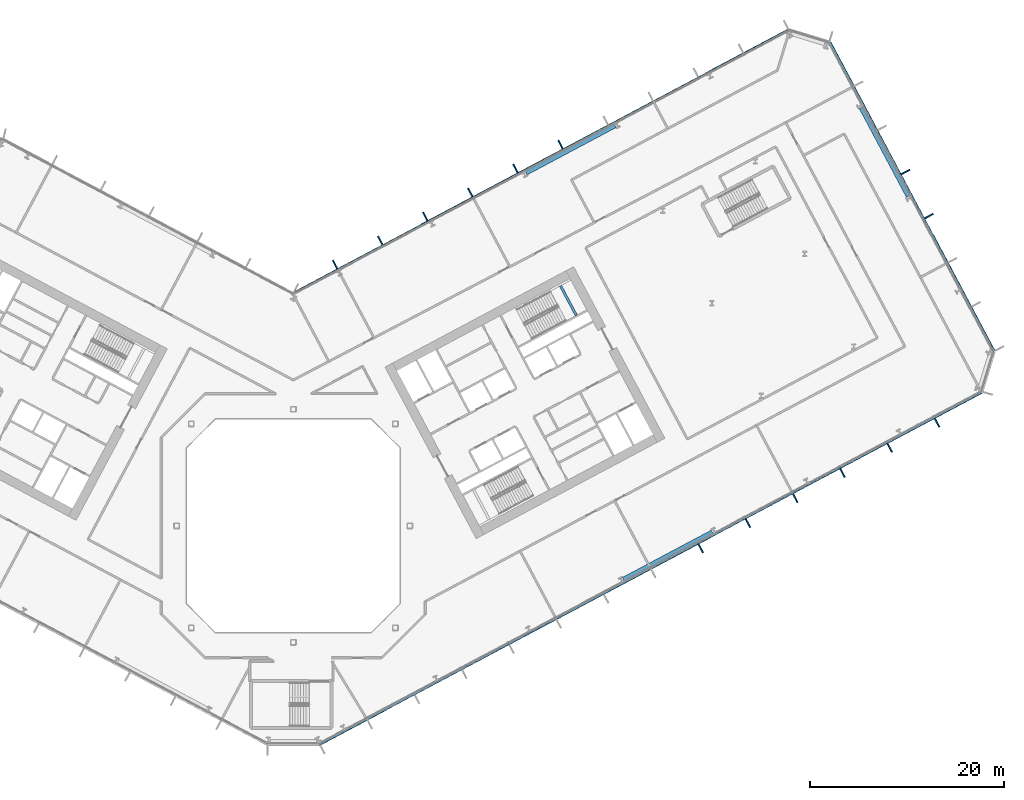
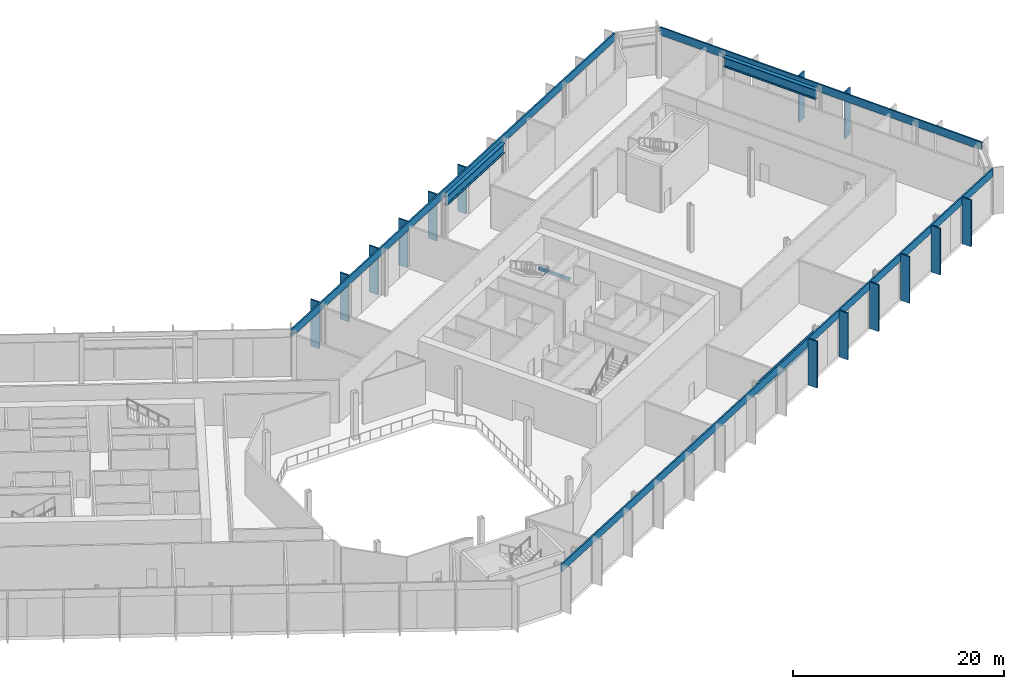
# One storey, part 7 of 31: 17 members, 4 beams, 3 elements without a shape of their own.
"""IFC4 building model written with IfcOpenShell, lengths in metres."""

from ifc_helpers import new_model, si_unit, direction, frame, origin, origin_2d, place, context, subcontext, project, spatial, rectangle, i_section, extrude, material, layer, layer_set, material_profile, profile_set, type_object, element, aggregate, save


model = new_model("IFC4")

# Units and contexts
model_context = context("Model", 3, precision=1e-05, world=origin(), true_north=direction((0.0, 1.0)))
body_context = subcontext(model_context, "Body", "Model", "MODEL_VIEW")
ifc_project = project(units=[si_unit("LENGTHUNIT", "METRE"), si_unit("AREAUNIT", "SQUARE_METRE"), si_unit("VOLUMEUNIT", "CUBIC_METRE"), si_unit("PLANEANGLEUNIT", "RADIAN"), si_unit("MASSUNIT", "GRAM", prefix="KILO")], contexts=[model_context])

# Site, building, storey
site_placement = place(None, origin())
site = spatial("IfcSite", under=ifc_project, at=site_placement, CompositionType="ELEMENT")
building_placement = place(site_placement, origin())
building = spatial("IfcBuilding", under=site, at=building_placement, Name="Cormorant Relay Tower", CompositionType="ELEMENT")
storey_placement = place(building_placement, frame((0.0, 0.0, 12.199951171875)))
storey = spatial("IfcBuildingStorey", under=building, at=storey_placement, Name="L02", CompositionType="ELEMENT", Elevation=12.199951171875)

# Curtain wall, members
ifc_material_1 = material(Name="Aluminium 6063-T6 anodised bronze", Category="aluminium")
ifc_layer = layer(ifc_material_1, 0.235107421875)
ifc_layer_set = layer_set([ifc_layer], Name="CW6 data hall curtain wall with mineral wool panels")
curtain_wall_type = type_object("IfcCurtainWallType", Name="CW6 data hall curtain wall with mineral wool panels", PredefinedType="NOTDEFINED", material=ifc_layer_set)
curtain_wall_1_placement = place(storey_placement, origin())
curtain_wall_1 = element("IfcCurtainWall", 1, at=curtain_wall_1_placement, inside=storey, type_object=curtain_wall_type, Name="CW6 curtain wall 2", PredefinedType="NOTDEFINED")
ifc_material_2 = material(Name="Aluminium 6063-T6 anodised bronze", Category="aluminium")
ifc_material_profile_1 = material_profile(ifc_material_2, rectangle(XDim=0.14990234375, YDim=1.0, at=origin_2d()), Name="AL 150x1000")
ifc_profile_set_1 = profile_set([ifc_material_profile_1], Name="Aluminium 6063-T6 anodised bronze")
member_type_1 = type_object("IfcMemberType", Name="CW6 bronze fin mullion 150 x 1000", PredefinedType="MULLION", material=ifc_profile_set_1)
member_1_placement = place(storey_placement, frame((41.92724609375, -2.3232421875, 0.0), z_axis=(0.0, 0.0, 1.0), x_axis=(0.882947592859, 0.469471562786, 0.0)))
member_1 = element("IfcMember", 2, at=member_1_placement, type_object=member_type_1, Name="CW6 fin 2.9", PredefinedType="MULLION", context=body_context, shape_type="SweptSolid", body=[
    extrude(rectangle(XDim=0.14990234375, YDim=1.0, at=origin_2d()), origin(), (0.0, 0.0, 1.0), 5.400146484375),
])
member_2_placement = place(storey_placement, frame((46.7939453125, 0.264404296875, 0.0), z_axis=(0.0, 0.0, 1.0), x_axis=(0.882947592859, 0.469471562786, 0.0)))
member_2 = element("IfcMember", 3, at=member_2_placement, type_object=member_type_1, Name="CW6 fin 2.10", PredefinedType="MULLION", context=body_context, shape_type="SweptSolid", body=[
    extrude(rectangle(XDim=0.14990234375, YDim=1.0, at=origin_2d()), origin(), (0.0, 0.0, 1.0), 5.400146484375),
])
member_3_placement = place(storey_placement, frame((51.66064453125, 2.85205078125, 0.0), z_axis=(0.0, 0.0, 1.0), x_axis=(0.882947592859, 0.469471562786, 0.0)))
member_3 = element("IfcMember", 4, at=member_3_placement, type_object=member_type_1, Name="CW6 fin 2.11", PredefinedType="MULLION", context=body_context, shape_type="SweptSolid", body=[
    extrude(rectangle(XDim=0.14990234375, YDim=1.0, at=origin_2d()), origin(), (0.0, 0.0, 1.0), 5.400146484375),
])
member_4_placement = place(storey_placement, frame((56.52734375, 5.439697265625, 0.0), z_axis=(0.0, 0.0, 1.0), x_axis=(0.882947592859, 0.469471562786, 0.0)))
member_4 = element("IfcMember", 5, at=member_4_placement, type_object=member_type_1, Name="CW6 fin 2.12", PredefinedType="MULLION", context=body_context, shape_type="SweptSolid", body=[
    extrude(rectangle(XDim=0.14990234375, YDim=1.0, at=origin_2d()), origin(), (0.0, 0.0, 1.0), 5.400146484375),
])
member_5_placement = place(storey_placement, frame((61.39404296875, 8.02734375, 0.0), z_axis=(0.0, 0.0, 1.0), x_axis=(0.882947592859, 0.469471562786, 0.0)))
member_5 = element("IfcMember", 6, at=member_5_placement, type_object=member_type_1, Name="CW6 fin 2.13", PredefinedType="MULLION", context=body_context, shape_type="SweptSolid", body=[
    extrude(rectangle(XDim=0.14990234375, YDim=1.0, at=origin_2d()), origin(), (0.0, 0.0, 1.0), 5.400146484375),
])
member_6_placement = place(storey_placement, frame((66.2607421875, 10.614990234375, 0.0), z_axis=(0.0, 0.0, 1.0), x_axis=(0.882947592859, 0.469471562786, 0.0)))
member_6 = element("IfcMember", 7, at=member_6_placement, type_object=member_type_1, Name="CW6 fin 2.14", PredefinedType="MULLION", context=body_context, shape_type="SweptSolid", body=[
    extrude(rectangle(XDim=0.14990234375, YDim=1.0, at=origin_2d()), origin(), (0.0, 0.0, 1.0), 5.400146484375),
])

curtain_wall_2_placement = place(storey_placement, origin())
curtain_wall_2 = element("IfcCurtainWall", 8, at=curtain_wall_2_placement, inside=storey, type_object=curtain_wall_type, Name="CW6 curtain wall 4", PredefinedType="NOTDEFINED")
member_7_placement = place(storey_placement, frame((65.428466796875, 31.876708984375, 0.0), z_axis=(0.0, 0.0, 1.0), x_axis=(-0.469471562786, 0.882947592859, 0.0)))
member_7 = element("IfcMember", 9, at=member_7_placement, type_object=member_type_1, Name="CW6 fin 4.4", PredefinedType="MULLION", context=body_context, shape_type="SweptSolid", body=[
    extrude(rectangle(XDim=0.14990234375, YDim=1.0, at=origin_2d()), origin(), (0.0, 0.0, 1.0), 5.400146484375),
])
member_8_placement = place(storey_placement, frame((63.013916015625, 36.41748046875, 0.0), z_axis=(0.0, 0.0, 1.0), x_axis=(-0.469471562786, 0.882947592859, 0.0)))
member_8 = element("IfcMember", 10, at=member_8_placement, type_object=member_type_1, Name="CW6 fin 4.5", PredefinedType="MULLION", context=body_context, shape_type="SweptSolid", body=[
    extrude(rectangle(XDim=0.14990234375, YDim=1.0, at=origin_2d()), origin(), (0.0, 0.0, 1.0), 5.400146484375),
])

curtain_wall_3_placement = place(storey_placement, origin())
curtain_wall_3 = element("IfcCurtainWall", 11, at=curtain_wall_3_placement, inside=storey, type_object=curtain_wall_type, Name="CW6 curtain wall 6", PredefinedType="NOTDEFINED")
member_9_placement = place(storey_placement, frame((27.50830078125, 39.242919921875, 0.0), z_axis=(0.0, 0.0, 1.0), x_axis=(-0.882947592859, -0.469471562786, 0.0)))
member_9 = element("IfcMember", 12, at=member_9_placement, type_object=member_type_1, Name="CW6 fin 6.6", PredefinedType="MULLION", context=body_context, shape_type="SweptSolid", body=[
    extrude(rectangle(XDim=0.14990234375, YDim=1.0, at=origin_2d()), origin(), (0.0, 0.0, 1.0), 5.400146484375),
])
member_10_placement = place(storey_placement, frame((22.8662109375, 36.7744140625, 0.0), z_axis=(0.0, 0.0, 1.0), x_axis=(-0.882947592859, -0.469471562786, 0.0)))
member_10 = element("IfcMember", 13, at=member_10_placement, type_object=member_type_1, Name="CW6 fin 6.7", PredefinedType="MULLION", context=body_context, shape_type="SweptSolid", body=[
    extrude(rectangle(XDim=0.14990234375, YDim=1.0, at=origin_2d()), origin(), (0.0, 0.0, 1.0), 5.400146484375),
])
member_11_placement = place(storey_placement, frame((18.223876953125, 34.30615234375, 0.0), z_axis=(0.0, 0.0, 1.0), x_axis=(-0.882947592859, -0.469471562786, 0.0)))
member_11 = element("IfcMember", 14, at=member_11_placement, type_object=member_type_1, Name="CW6 fin 6.8", PredefinedType="MULLION", context=body_context, shape_type="SweptSolid", body=[
    extrude(rectangle(XDim=0.14990234375, YDim=1.0, at=origin_2d()), origin(), (0.0, 0.0, 1.0), 5.400146484375),
])
member_12_placement = place(storey_placement, frame((13.58154296875, 31.837890625, 0.0), z_axis=(0.0, 0.0, 1.0), x_axis=(-0.882947592859, -0.469471562786, 0.0)))
member_12 = element("IfcMember", 15, at=member_12_placement, type_object=member_type_1, Name="CW6 fin 6.9", PredefinedType="MULLION", context=body_context, shape_type="SweptSolid", body=[
    extrude(rectangle(XDim=0.14990234375, YDim=1.0, at=origin_2d()), origin(), (0.0, 0.0, 1.0), 5.400146484375),
])
member_13_placement = place(storey_placement, frame((8.939453125, 29.36962890625, 0.0), z_axis=(0.0, 0.0, 1.0), x_axis=(-0.882947592859, -0.469471562786, 0.0)))
member_13 = element("IfcMember", 16, at=member_13_placement, type_object=member_type_1, Name="CW6 fin 6.10", PredefinedType="MULLION", context=body_context, shape_type="SweptSolid", body=[
    extrude(rectangle(XDim=0.14990234375, YDim=1.0, at=origin_2d()), origin(), (0.0, 0.0, 1.0), 5.400146484375),
])
member_14_placement = place(storey_placement, frame((4.297119140625, 26.9013671875, 0.0), z_axis=(0.0, 0.0, 1.0), x_axis=(-0.882947592859, -0.469471562786, 0.0)))
member_14 = element("IfcMember", 17, at=member_14_placement, type_object=member_type_1, Name="CW6 fin 6.11", PredefinedType="MULLION", context=body_context, shape_type="SweptSolid", body=[
    extrude(rectangle(XDim=0.14990234375, YDim=1.0, at=origin_2d()), origin(), (0.0, 0.0, 1.0), 5.400146484375),
])

# Member
ifc_material_3 = material(Name="Aluminium 6063-T6 anodised bronze", Category="aluminium")
ifc_material_profile_2 = material_profile(ifc_material_3, rectangle(XDim=0.159912109375, YDim=0.89990234375, at=origin_2d()), Name="AL 160x900")
ifc_profile_set_2 = profile_set([ifc_material_profile_2], Name="Aluminium 6063-T6 anodised bronze")
member_type_2 = type_object("IfcMemberType", Name="CW6 bronze transom 160 x 900", PredefinedType="USERDEFINED", material=ifc_profile_set_2)
member_15_placement = place(storey_placement, frame((2.7216796875, -22.512451171875, 4.949951171875), z_axis=(0.882946645884, 0.469473343783, 0.0), x_axis=(-0.469473343783, 0.882946645884, 0.0)))
member_15 = element("IfcMember", 18, at=member_15_placement, type_object=member_type_2, Name="CW6 transom 2", ObjectType="TRANSOM", PredefinedType="USERDEFINED", context=body_context, shape_type="SweptSolid", body=[
    extrude(rectangle(XDim=0.159912109375, YDim=0.89990234375, at=origin_2d()), origin(), (0.0, 0.0, 1.0), 77.165771484375),
])

aggregate(curtain_wall_1, [member_1, member_2, member_3, member_4, member_5, member_6, member_15])

member_16_placement = place(storey_placement, frame((72.15966796875, 17.981689453125, 4.949951171875), z_axis=(-0.469474517326, 0.882946021896, 0.0), x_axis=(-0.882946021896, -0.469474517326, 0.0)))
member_16 = element("IfcMember", 19, at=member_16_placement, type_object=member_type_2, Name="CW6 transom 4", ObjectType="TRANSOM", PredefinedType="USERDEFINED", context=body_context, shape_type="SweptSolid", body=[
    extrude(rectangle(XDim=0.159912109375, YDim=0.89990234375, at=origin_2d()), origin(), (0.0, 0.0, 1.0), 36.0),
])

aggregate(curtain_wall_2, [member_7, member_8, member_16])

member_17_placement = place(storey_placement, frame((50.99169921875, 51.072265625, 4.949951171875), z_axis=(-0.882948196078, -0.469470428295, 0.0), x_axis=(0.469470428295, -0.882948196078, 0.0)))
member_17 = element("IfcMember", 20, at=member_17_placement, type_object=member_type_2, Name="CW6 transom 6", ObjectType="TRANSOM", PredefinedType="USERDEFINED", context=body_context, shape_type="SweptSolid", body=[
    extrude(rectangle(XDim=0.159912109375, YDim=0.89990234375, at=origin_2d()), origin(), (0.0, 0.0, 1.0), 57.833984375),
])

aggregate(curtain_wall_3, [member_9, member_10, member_11, member_12, member_13, member_14, member_17])

# Beams
ifc_material_4 = material(Name="Steel ASTM A992 (Fy 345 MPa)", Category="steel")
ifc_material_profile_3 = material_profile(ifc_material_4, i_section(OverallWidth=0.408935546875, OverallDepth=1.137939453125, WebThickness=0.031005859375, FlangeThickness=0.05517578125, FilletRadius=0.02001953125, at=origin_2d()), Name="W1100x607")
ifc_profile_set_3 = profile_set([ifc_material_profile_3], Name="Steel ASTM A992 (Fy 345 MPa)")
beam_type_1 = type_object("IfcBeamType", Name="Spandrel W1100x607", PredefinedType="SPANDREL", material=ifc_profile_set_3)
for number, where, z_axis, x_axis, name in (
    (21, (33.9716796875, -5.4892578125, 4.381103515625), (0.882947604656, 0.469471540599, 0.0), (-0.469471540599, 0.882947604656, 0.0), "Spandrel beam L02-002"),
    (22, (63.289306640625, 33.898681640625, 4.381103515625), (-0.469471540599, 0.882947604656, 0.0), (-0.882947604656, -0.469471540599, 0.0), "Spandrel beam L02-004"),
):
    element("IfcBeam", number, at=place(storey_placement, frame(where, z_axis=z_axis, x_axis=x_axis)), inside=storey, type_object=beam_type_1, Name=name, PredefinedType="SPANDREL", context=body_context, shape_type="SweptSolid", body=[
        extrude(i_section(OverallWidth=0.408935546875, OverallDepth=1.137939453125, WebThickness=0.031005859375, FlangeThickness=0.05517578125, FilletRadius=0.02001953125, at=origin_2d()), origin(), (0.0, 0.0, 1.0), 10.36376953125),
    ])
beam_1_placement = place(storey_placement, frame((33.132080078125, 41.169189453125, 4.381103515625), z_axis=(-0.882942412403, -0.469481305677, 0.0), x_axis=(0.469481305677, -0.882942412403, 0.0)))
element("IfcBeam", 23, at=beam_1_placement, inside=storey, type_object=beam_type_1, Name="Spandrel beam L02-006", PredefinedType="SPANDREL", context=body_context, shape_type="SweptSolid", body=[
    extrude(i_section(OverallWidth=0.408935546875, OverallDepth=1.137939453125, WebThickness=0.031005859375, FlangeThickness=0.05517578125, FilletRadius=0.02001953125, at=origin_2d()), origin(), (0.0, 0.0, 1.0), 10.363525390625),
])
ifc_material_5 = material(Name="Concrete 50 MPa", Category="concrete")
ifc_material_profile_4 = material_profile(ifc_material_5, rectangle(XDim=0.25, YDim=0.300048828125, at=origin_2d()), Name="RC 250x300")
ifc_profile_set_4 = profile_set([ifc_material_profile_4], Name="Concrete 50 MPa")
beam_type_2 = type_object("IfcBeamType", Name="Stair landing ledge beam 250x300", PredefinedType="BEAM", material=ifc_profile_set_4)
beam_2_placement = place(storey_placement, frame((29.1259765625, 21.6591796875, 2.35009765625), z_axis=(-0.469493252696, 0.882936059788, 0.0), x_axis=(-0.882936059788, -0.469493252696, 0.0)))
element("IfcBeam", 24, at=beam_2_placement, inside=storey, type_object=beam_type_2, Name="B2 landing ledge beam", PredefinedType="BEAM", context=body_context, shape_type="SweptSolid", body=[
    extrude(rectangle(XDim=0.25, YDim=0.300048828125, at=origin_2d()), origin(), (0.0, 0.0, 1.0), 3.44970703125),
])

save(model, "model.ifc")
